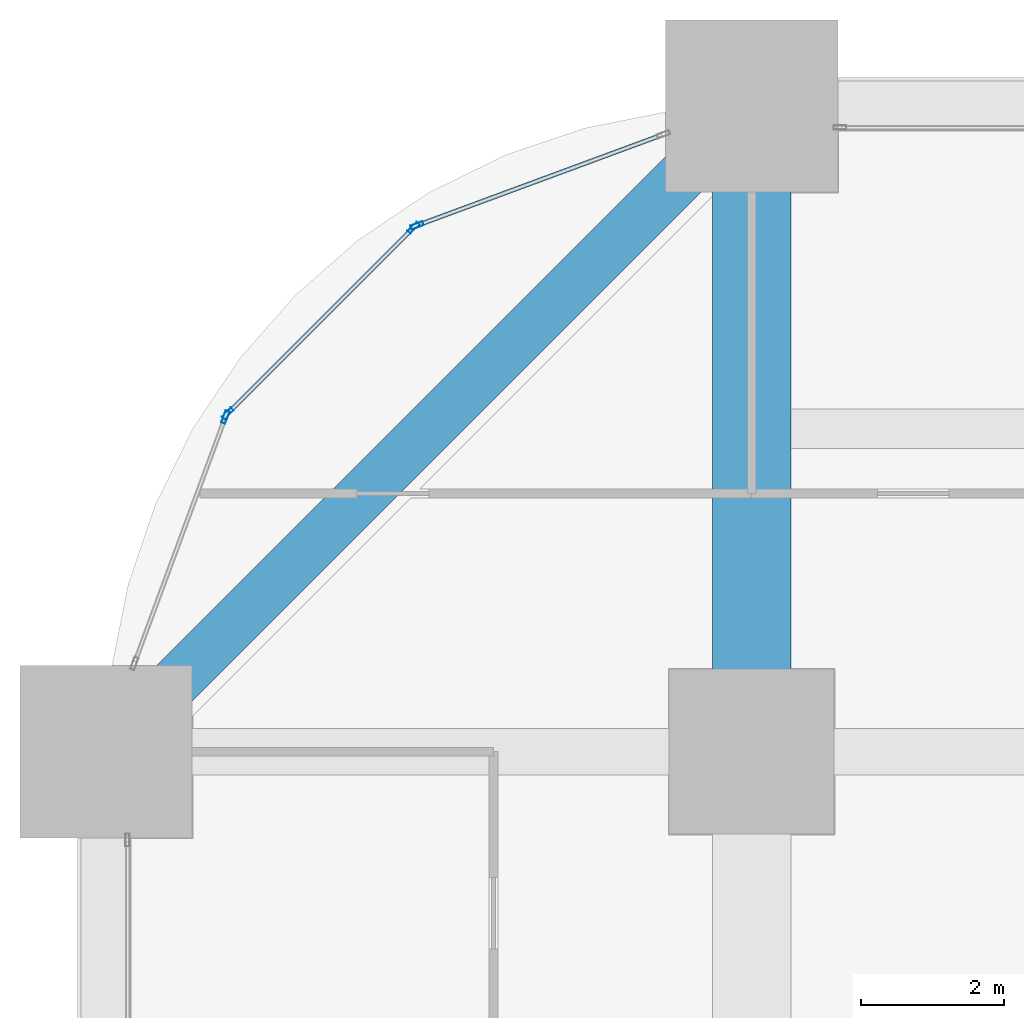
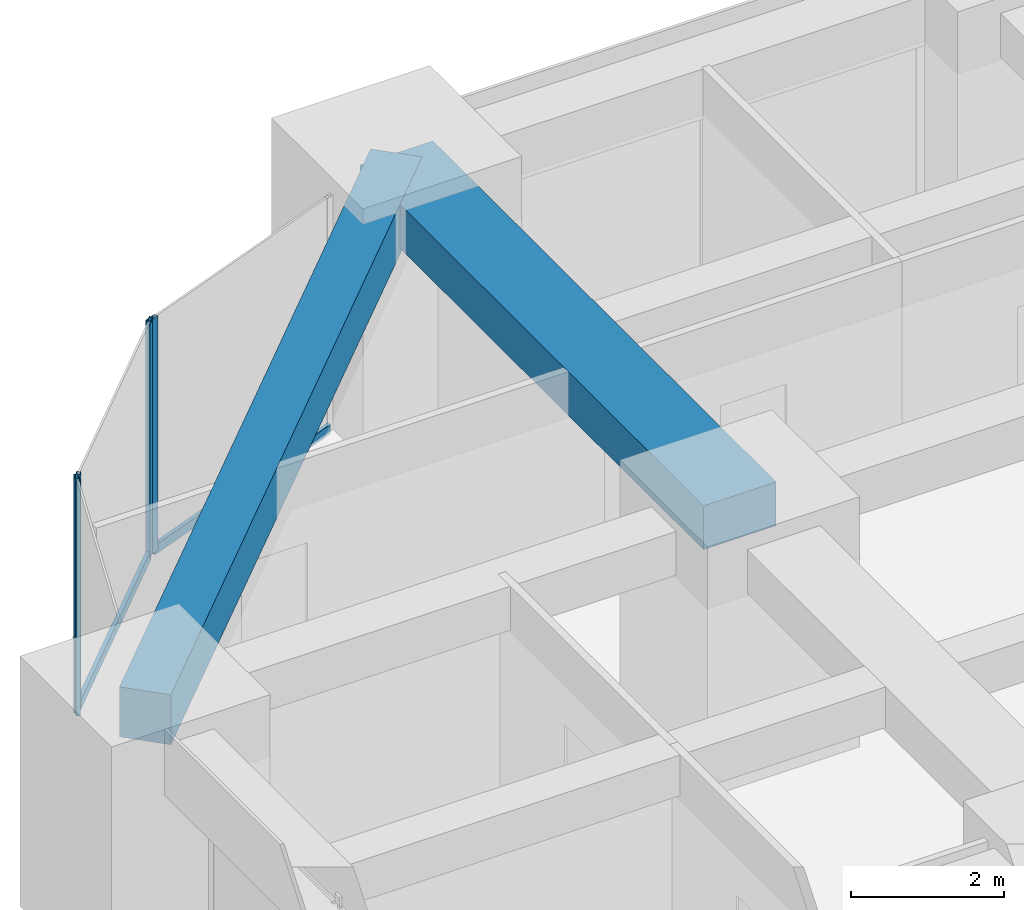
# One storey, part 27 of 44: 6 members, 2 beams, 3 elements without a shape of their own.
"""IFC4 building model written with IfcOpenShell, lengths in metres."""

from ifc_helpers import new_model, si_unit, direction, frame, origin, origin_2d, place, context, subcontext, project, spatial, rectangle, hollow_rectangle, extrude, material, material_profile, profile_set, type_object, element, aggregate, save


model = new_model("IFC4")

# Units and contexts
model_context = context("Model", 3, precision=1e-05, world=origin(), true_north=direction((0.0, 1.0)))
body_context = subcontext(model_context, "Body", "Model", "MODEL_VIEW")
ifc_project = project(units=[si_unit("LENGTHUNIT", "METRE"), si_unit("AREAUNIT", "SQUARE_METRE"), si_unit("VOLUMEUNIT", "CUBIC_METRE"), si_unit("PLANEANGLEUNIT", "RADIAN"), si_unit("MASSUNIT", "GRAM", prefix="KILO")], contexts=[model_context])

# Site, building, storey
site_placement = place(None, origin())
site = spatial("IfcSite", under=ifc_project, at=site_placement, CompositionType="ELEMENT")
building_placement = place(site_placement, origin())
building = spatial("IfcBuilding", under=site, at=building_placement, Name="Zorevar Civic Tower", CompositionType="ELEMENT")
storey_placement = place(building_placement, frame((0.0, 0.0, 31.800048828125)))
storey = spatial("IfcBuildingStorey", under=building, at=storey_placement, Name="L07", CompositionType="ELEMENT", Elevation=31.800048828125)

# Beam
ifc_material_1 = material(Name="Concrete C50/60", Category="concrete")
ifc_material_profile_1 = material_profile(ifc_material_1, rectangle(XDim=1.10009765625, YDim=0.699951171875, at=origin_2d()), Name="RC 1100x700")
ifc_profile_set_1 = profile_set([ifc_material_profile_1], Name="Concrete C50/60")
beam_type_1 = type_object("IfcBeamType", Name="Beam RC 1100x700", PredefinedType="BEAM", material=ifc_profile_set_1)
beam_1_placement = place(storey_placement, frame((9.0, 45.0, 3.39990234375), z_axis=(0.0, 1.0, 0.0), x_axis=(-1.0, 0.0, 0.0)))
element("IfcBeam", 1, at=beam_1_placement, inside=storey, type_object=beam_type_1, Name="Girder L08", PredefinedType="BEAM", context=body_context, shape_type="SweptSolid", body=[
    extrude(rectangle(XDim=1.10009765625, YDim=0.699951171875, at=origin_2d()), origin(), (0.0, 0.0, 1.0), 9.0),
])

# Curtain wall, member
ifc_material_2 = material(Name="Dark grey solar-control glass in black aluminium frame", Category="aluminium")
curtain_wall_type = type_object("IfcCurtainWallType", Name="Curtain wall CW2 low zone", PredefinedType="NOTDEFINED", material=ifc_material_2)
curtain_wall_1_placement = place(storey_placement, origin())
curtain_wall_1 = element("IfcCurtainWall", 2, at=curtain_wall_1_placement, inside=storey, type_object=curtain_wall_type, Name="CW2 L07", PredefinedType="NOTDEFINED")
ifc_material_3 = material(Name="Aluminium, black anodised", Category="aluminium")
ifc_material_profile_2 = material_profile(ifc_material_3, hollow_rectangle(XDim=0.06005859375, YDim=0.179931640625, WallThickness=0.00390625, at=origin_2d()), Name="AL 180x60x4")
ifc_profile_set_2 = profile_set([ifc_material_profile_2], Name="Aluminium, black anodised")
member_type_1 = type_object("IfcMemberType", Name="CW2 mullion AL 180x60x4", PredefinedType="MULLION", material=ifc_profile_set_2)
member_1_placement = place(storey_placement, frame((4.33544921875, 52.336181640625, 0.0), z_axis=(0.0, 0.0, 1.0), x_axis=(0.346704012033, -0.937974588163, 0.0)))
member_1 = element("IfcMember", 3, at=member_1_placement, type_object=member_type_1, Name="CW2 mullion 2", PredefinedType="MULLION", context=body_context, shape_type="SweptSolid", body=[
    extrude(hollow_rectangle(XDim=0.06005859375, YDim=0.179931640625, WallThickness=0.00390625, at=origin_2d()), origin(), (0.0, 0.0, 1.0), 3.75),
])

# Curtain wall, members
curtain_wall_2_placement = place(storey_placement, origin())
curtain_wall_2 = element("IfcCurtainWall", 4, at=curtain_wall_2_placement, inside=storey, type_object=curtain_wall_type, Name="CW2 L07", PredefinedType="NOTDEFINED")
member_2_placement = place(storey_placement, frame((4.2861328125, 52.3046875, 0.0), z_axis=(0.0, 0.0, 1.0), x_axis=(0.707106781187, -0.707106781187, 0.0)))
member_2 = element("IfcMember", 5, at=member_2_placement, type_object=member_type_1, Name="CW2 mullion 1", PredefinedType="MULLION", context=body_context, shape_type="SweptSolid", body=[
    extrude(hollow_rectangle(XDim=0.06005859375, YDim=0.179931640625, WallThickness=0.00390625, at=origin_2d()), origin(), (0.0, 0.0, 1.0), 3.75),
])
member_3_placement = place(storey_placement, frame((1.6953125, 49.7138671875, 0.0), z_axis=(0.0, 0.0, 1.0), x_axis=(0.707106781187, -0.707106781187, 0.0)))
member_3 = element("IfcMember", 6, at=member_3_placement, type_object=member_type_1, Name="CW2 mullion 2", PredefinedType="MULLION", context=body_context, shape_type="SweptSolid", body=[
    extrude(hollow_rectangle(XDim=0.06005859375, YDim=0.179931640625, WallThickness=0.00390625, at=origin_2d()), origin(), (0.0, 0.0, 1.0), 3.75),
])

# Curtain wall, member
curtain_wall_3_placement = place(storey_placement, origin())
curtain_wall_3 = element("IfcCurtainWall", 7, at=curtain_wall_3_placement, inside=storey, type_object=curtain_wall_type, Name="CW2 L07", PredefinedType="NOTDEFINED")
member_4_placement = place(storey_placement, frame((1.663818359375, 49.66455078125, 0.0), z_axis=(0.0, 0.0, 1.0), x_axis=(0.937974588163, -0.346704012033, 0.0)))
member_4 = element("IfcMember", 8, at=member_4_placement, type_object=member_type_1, Name="CW2 mullion 1", PredefinedType="MULLION", context=body_context, shape_type="SweptSolid", body=[
    extrude(hollow_rectangle(XDim=0.06005859375, YDim=0.179931640625, WallThickness=0.00390625, at=origin_2d()), origin(), (0.0, 0.0, 1.0), 3.75),
])
aggregate(curtain_wall_3, [member_4])

# Member
ifc_material_4 = material(Name="Aluminium, black anodised", Category="aluminium")
ifc_material_profile_3 = material_profile(ifc_material_4, hollow_rectangle(XDim=0.06005859375, YDim=0.14990234375, WallThickness=0.00390625, at=origin_2d()), Name="AL 150x60x4")
ifc_profile_set_3 = profile_set([ifc_material_profile_3], Name="Aluminium, black anodised")
member_type_2 = type_object("IfcMemberType", Name="CW2 transom AL 150x60x4", PredefinedType="USERDEFINED", material=ifc_profile_set_3)
member_5_placement = place(storey_placement, frame((7.74365234375, 53.595947265625, 0.030029296875), z_axis=(-0.93798635741, -0.346672169799, 0.0), x_axis=(0.346672169799, -0.93798635741, 0.0)))
member_5 = element("IfcMember", 9, at=member_5_placement, type_object=member_type_2, Name="CW2 sill transom", ObjectType="TRANSOM", PredefinedType="USERDEFINED", context=body_context, shape_type="SweptSolid", body=[
    extrude(hollow_rectangle(XDim=0.06005859375, YDim=0.14990234375, WallThickness=0.00390625, at=origin_2d()), origin(), (0.0, 0.0, 1.0), 3.603515625),
])

aggregate(curtain_wall_1, [member_1, member_5])

member_6_placement = place(storey_placement, frame((4.264892578125, 52.283447265625, 0.030029296875), z_axis=(-0.707106781187, -0.707106781187, 0.0), x_axis=(0.707106781187, -0.707106781187, 0.0)))
member_6 = element("IfcMember", 10, at=member_6_placement, type_object=member_type_2, Name="CW2 sill transom", ObjectType="TRANSOM", PredefinedType="USERDEFINED", context=body_context, shape_type="SweptSolid", body=[
    extrude(hollow_rectangle(XDim=0.06005859375, YDim=0.14990234375, WallThickness=0.00390625, at=origin_2d()), origin(), (0.0, 0.0, 1.0), 3.60400390625),
])

aggregate(curtain_wall_2, [member_2, member_3, member_6])

# Beam
ifc_material_5 = material(Name="Concrete C50/60", Category="concrete")
ifc_material_profile_4 = material_profile(ifc_material_5, rectangle(XDim=0.699951171875, YDim=0.800048828125, at=origin_2d()), Name="RC 700x800")
ifc_profile_set_4 = profile_set([ifc_material_profile_4], Name="Concrete C50/60")
beam_type_2 = type_object("IfcBeamType", Name="Edge beam RC 700x800", PredefinedType="SPANDREL", material=ifc_profile_set_4)
beam_2_placement = place(storey_placement, frame((9.0, 54.0, 3.349853515625), z_axis=(-0.707106781187, -0.707106781187, 0.0), x_axis=(0.707106781187, -0.707106781187, 0.0)))
element("IfcBeam", 11, at=beam_2_placement, inside=storey, type_object=beam_type_2, Name="Corner edge beam L08", PredefinedType="SPANDREL", context=body_context, shape_type="SweptSolid", body=[
    extrude(rectangle(XDim=0.699951171875, YDim=0.800048828125, at=origin_2d()), origin(), (0.0, 0.0, 1.0), 12.72802734375),
])

save(model, "model.ifc")
